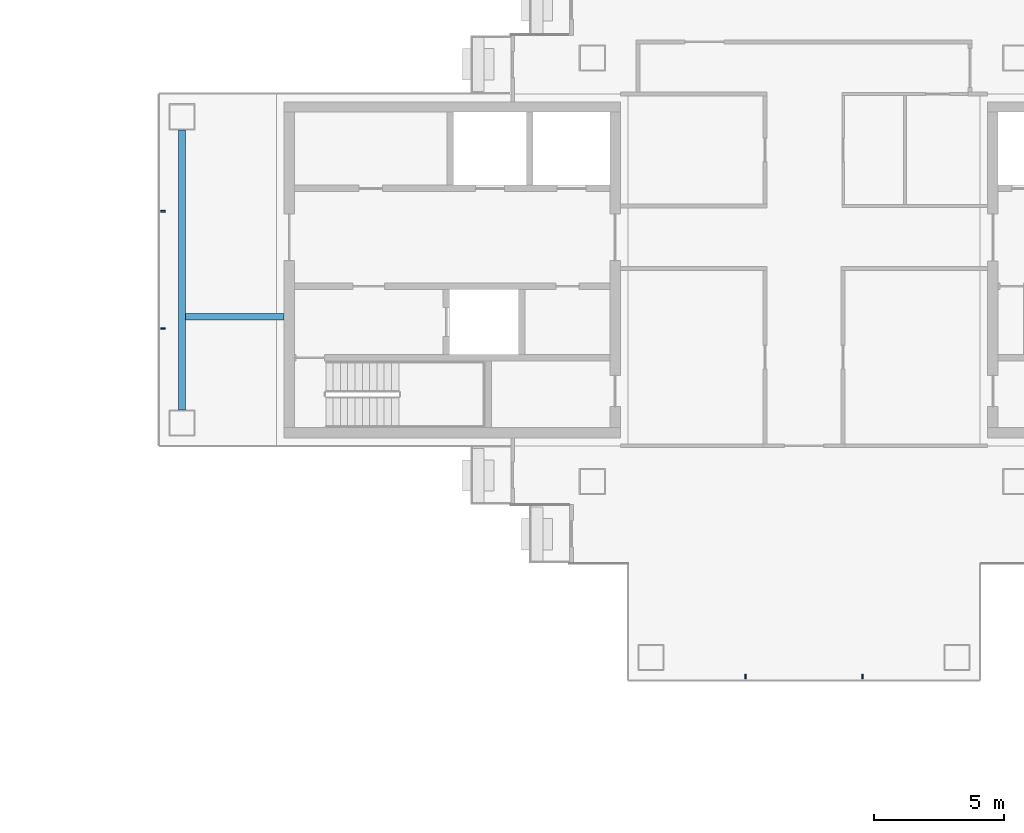
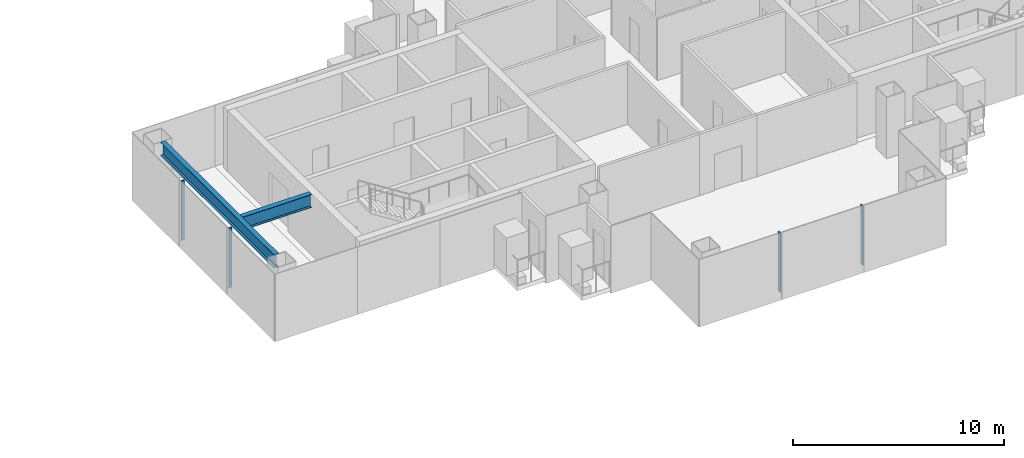
# One storey, part 5 of 16: 4 members, 2 beams, 2 elements without a shape of their own.
"""IFC4 building model written with IfcOpenShell, lengths in metres."""

import ifcopenshell
import ifcopenshell.guid

model = None  # the IFC model being written
_history = None  # IfcOwnerHistory: only IFC2X3 demands one
_inside = {}  # id of a spatial element -> (the spatial element, [elements in it])
_under = {}  # id of a project, library or spatial element -> (it, [spatial elements below it])
_declared = {}  # id of a project -> (the project, [libraries it declares])
_typed = {}  # id of a type object -> (the type object, [elements of that type])
_made_of = {}  # id of a material, layer set ... -> (it, [elements and type objects made of it])


def new_model(schema):
    """Start an empty IFC model of exactly this schema.

    Asked for "IFC4X3", IfcOpenShell would pick the latest addendum, in which some entities
    have other attributes; the version numbers below select the first issue.
    IFC2X3 requires an IfcOwnerHistory on every rooted entity: one is made here for all.
    """
    global model, _history
    if schema == "IFC4X3":
        model = ifcopenshell.file(schema_version=(4, 3, 0, 0))
    else:
        model = ifcopenshell.file(schema=schema)
    _inside.clear()
    _under.clear()
    _declared.clear()
    _typed.clear()
    _made_of.clear()
    _history = None
    if model.schema == "IFC2X3":
        org = make("IfcOrganization", Name="unknown")
        user = make(
            "IfcPersonAndOrganization",
            ThePerson=make("IfcPerson", FamilyName="unknown"),
            TheOrganization=org,
        )
        app = make(
            "IfcApplication",
            ApplicationDeveloper=org,
            Version="unknown",
            ApplicationFullName="unknown",
            ApplicationIdentifier="unknown",
        )
        _history = make(
            "IfcOwnerHistory",
            OwningUser=user,
            OwningApplication=app,
            ChangeAction="ADDED",
            CreationDate=0,
        )
    return model


def make(cls, **values):
    """One entity of the class cls with the attributes given. An attribute that is None is left unset."""
    return model.create_entity(
        cls, **{name: value for name, value in values.items() if value is not None}
    )


def rooted(cls, **values):
    """An entity with a GlobalId (a new one), such as an element, a storey or a relation."""
    return make(cls, GlobalId=ifcopenshell.guid.new(), OwnerHistory=_history, **values)


def si_unit(unit_type, name, prefix=None):
    """IfcSIUnit, for example si_unit("LENGTHUNIT", "METRE", prefix="MILLI")."""
    return make("IfcSIUnit", UnitType=unit_type, Prefix=prefix, Name=name)


def assignment(units):
    """IfcUnitAssignment: the units of a project."""
    return None if units is None else make("IfcUnitAssignment", Units=units)


def point(xyz):
    """IfcCartesianPoint."""
    return None if xyz is None else make("IfcCartesianPoint", Coordinates=xyz)


def direction(xyz):
    """IfcDirection."""
    return None if xyz is None else make("IfcDirection", DirectionRatios=xyz)


def frame(location, z_axis=None, x_axis=None):
    """IfcAxis2Placement3D, a coordinate frame: its origin and axes. An axis left out is left unset."""
    return make(
        "IfcAxis2Placement3D",
        Location=point(location),
        Axis=direction(z_axis),
        RefDirection=direction(x_axis),
    )


def frame_2d(location, x_axis=None):
    """IfcAxis2Placement2D, a coordinate frame in the plane: its origin and x axis."""
    return make(
        "IfcAxis2Placement2D", Location=point(location), RefDirection=direction(x_axis)
    )


def origin():
    """The frame at (0, 0, 0) with its axes left unset."""
    return frame((0.0, 0.0, 0.0))


def origin_2d():
    """The frame at (0, 0) in the plane with its x axis left unset."""
    return frame_2d((0.0, 0.0))


def place(relative_to, where):
    """IfcLocalPlacement: puts the frame where relative to a parent placement (None: the world)."""
    return make(
        "IfcLocalPlacement", PlacementRelTo=relative_to, RelativePlacement=where
    )


def context(
    kind, dimensions, precision=None, world=None, true_north=None, identifier=None
):
    """IfcGeometricRepresentationContext, for example the 3D "Model" context."""
    return make(
        "IfcGeometricRepresentationContext",
        ContextIdentifier=identifier,
        ContextType=kind,
        CoordinateSpaceDimension=dimensions,
        Precision=precision,
        WorldCoordinateSystem=world,
        TrueNorth=true_north,
    )


def subcontext(parent, identifier, kind, view, scale=None):
    """IfcGeometricRepresentationSubContext, for example "Body" below "Model"."""
    return make(
        "IfcGeometricRepresentationSubContext",
        ContextIdentifier=identifier,
        ContextType=kind,
        ParentContext=parent,
        TargetScale=scale,
        TargetView=view,
    )


def project(units=None, contexts=None):
    """IfcProject with its units and contexts."""
    return rooted(
        "IfcProject",
        Name="project",
        RepresentationContexts=contexts,
        UnitsInContext=assignment(units),
    )


def spatial(cls, under=None, at=None, **own):
    """A site, building, storey or space (cls), placed at a placement, below another one or the project."""
    s = rooted(cls, ObjectPlacement=at, **own)
    if under is not None:
        _under.setdefault(under.id(), (under, []))[1].append(s)
    return s


def profile(cls, at=None, kind="AREA", **sizes):
    """A parametric profile (cls). Its sizes go by their IFC names, for example OverallWidth=200.0."""
    return make(cls, ProfileType=kind, Position=at, **sizes)


def rectangle(**sizes):
    """IfcRectangleProfileDef."""
    return profile("IfcRectangleProfileDef", **sizes)


def i_section(**sizes):
    """IfcIShapeProfileDef."""
    return profile("IfcIShapeProfileDef", **sizes)


def extrude(swept, where, along, depth):
    """IfcExtrudedAreaSolid: the profile swept, set in the frame where, extruded along a direction by depth."""
    return make(
        "IfcExtrudedAreaSolid",
        SweptArea=swept,
        Position=where,
        ExtrudedDirection=direction(along),
        Depth=depth,
    )


def shape(context_of_items, identifier, shape_type, items):
    """IfcShapeRepresentation: the items that make up one representation, for example the "Body"."""
    return make(
        "IfcShapeRepresentation",
        ContextOfItems=context_of_items,
        RepresentationIdentifier=identifier,
        RepresentationType=shape_type,
        Items=items,
    )


def material(Name=None, Category=None):
    """IfcMaterial."""
    return make("IfcMaterial", Name=Name, Category=Category)


def layer(
    of_material, thickness, ventilated=None, Name=None, Category=None, Priority=None
):
    """IfcMaterialLayer: one layer of a wall or slab, of a material (None: an air gap)."""
    return make(
        "IfcMaterialLayer",
        Material=of_material,
        LayerThickness=thickness,
        IsVentilated=ventilated,
        Name=Name,
        Category=Category,
        Priority=Priority,
    )


def layer_set(layers, Name=None):
    """IfcMaterialLayerSet."""
    return make("IfcMaterialLayerSet", MaterialLayers=layers, LayerSetName=Name)


def material_profile(
    of_material, cross_section, Name=None, Category=None, Priority=None
):
    """IfcMaterialProfile: a cross section and its material."""
    return make(
        "IfcMaterialProfile",
        Name=Name,
        Material=of_material,
        Profile=cross_section,
        Priority=Priority,
        Category=Category,
    )


def profile_set(profiles, Name=None, composite=None):
    """IfcMaterialProfileSet."""
    return make(
        "IfcMaterialProfileSet",
        Name=Name,
        MaterialProfiles=profiles,
        CompositeProfile=composite,
    )


def made_of(thing, what):
    """Note that an element or type object is made of a material, layer set ...; save() writes the relation."""
    if what is not None:
        _made_of.setdefault(what.id(), (what, []))[1].append(thing)
    return thing


def type_object(cls, material=None, **own):
    """A type object (cls), such as IfcWallType, which elements share."""
    return made_of(rooted(cls, **own), material)


def element(
    cls,
    number,
    at=None,
    inside=None,
    cuts=None,
    type_object=None,
    material=None,
    context=None,
    identifier="Body",
    shape_type=None,
    held_by="IfcProductDefinitionShape",
    body=None,
    shapes=None,
    **own,
):
    """One element of the class cls, such as IfcWall. Its Tag is "e" and its number.

    at: its placement. inside: the storey or other place that contains it. cuts: it is an
    opening in that element (IfcRelVoidsElement). A single representation is given by context,
    identifier, shape_type and body (its items); several are given by shapes. held_by: the class
    of the entity that holds the representations. save() writes the other relations.
    """
    e = rooted(cls, Tag="e%d" % number, ObjectPlacement=at, **own)
    if body is not None:
        shapes = [shape(context, identifier, shape_type, body)]
    if shapes is not None:
        e.Representation = make(held_by, Representations=shapes)
    if inside is not None:
        _inside.setdefault(inside.id(), (inside, []))[1].append(e)
    if cuts is not None:
        rooted(
            "IfcRelVoidsElement", RelatingBuildingElement=cuts, RelatedOpeningElement=e
        )
    if type_object is not None:
        _typed.setdefault(type_object.id(), (type_object, []))[1].append(e)
    return made_of(e, material)


def aggregate(whole, parts):
    """IfcRelAggregates: a whole, such as a stair, and the parts it consists of."""
    return rooted("IfcRelAggregates", RelatingObject=whole, RelatedObjects=parts)


def save(model, path):
    """Write the relations noted so far, then the file.

    IfcRelAggregates (storeys below a building ...), IfcRelContainedInSpatialStructure (elements
    in a storey), IfcRelDefinesByType, IfcRelAssociatesMaterial and IfcRelDeclares: one each for
    every whole, place, type object, material and project.
    """
    for whole, parts in _under.values():
        aggregate(whole, parts)
    for where, things in _inside.values():
        rooted(
            "IfcRelContainedInSpatialStructure",
            RelatedElements=things,
            RelatingStructure=where,
        )
    for kind, things in _typed.values():
        rooted("IfcRelDefinesByType", RelatedObjects=things, RelatingType=kind)
    for what, things in _made_of.values():
        rooted("IfcRelAssociatesMaterial", RelatedObjects=things, RelatingMaterial=what)
    for by, libraries in _declared.values():
        rooted("IfcRelDeclares", RelatingContext=by, RelatedDefinitions=libraries)
    model.write(path)


model = new_model("IFC4")

# Units and contexts
model_context = context("Model", 3, precision=1e-05, world=origin(), true_north=direction((0.0, 1.0)))
body_context = subcontext(model_context, "Body", "Model", "MODEL_VIEW")
ifc_project = project(units=[si_unit("LENGTHUNIT", "METRE"), si_unit("AREAUNIT", "SQUARE_METRE"), si_unit("VOLUMEUNIT", "CUBIC_METRE"), si_unit("PLANEANGLEUNIT", "RADIAN"), si_unit("MASSUNIT", "GRAM", prefix="KILO")], contexts=[model_context])

# Site, building, storey
site_placement = place(None, origin())
site = spatial("IfcSite", under=ifc_project, at=site_placement, CompositionType="ELEMENT")
building_placement = place(site_placement, origin())
building = spatial("IfcBuilding", under=site, at=building_placement, Name="Shamsa Quay Exchange Towers", CompositionType="ELEMENT")
storey_placement = place(building_placement, frame((0.0, 0.0, 210.0)))
storey = spatial("IfcBuildingStorey", under=building, at=storey_placement, Name="L50", CompositionType="ELEMENT", Elevation=210.0)

# Curtain wall, members
ifc_material_1 = material(Name="Aluminium EN AW-6063 T6, black anodised", Category="aluminium")
ifc_layer = layer(ifc_material_1, 0.280029296875)
ifc_layer_set = layer_set([ifc_layer], Name="CW-1 UNITISED VISION GLASS")
curtain_wall_type = type_object("IfcCurtainWallType", Name="CW-1 UNITISED VISION GLASS", PredefinedType="NOTDEFINED", material=ifc_layer_set)
curtain_wall_1_placement = place(storey_placement, origin())
curtain_wall_1 = element("IfcCurtainWall", 1, at=curtain_wall_1_placement, inside=storey, type_object=curtain_wall_type, Name="CW1 T2-END-V+ L50", PredefinedType="NOTDEFINED")
ifc_material_profile_1 = material_profile(ifc_material_1, rectangle(XDim=0.179931640625, YDim=0.06005859375, at=origin_2d()), Name="MU60x180")
ifc_profile_set_1 = profile_set([ifc_material_profile_1], Name="Aluminium EN AW-6063 T6, black anodised")
member_type = type_object("IfcMemberType", Name="CW1 MULLION 60x180", PredefinedType="MULLION", material=ifc_profile_set_1)
member_1_placement = place(storey_placement, frame((9.14990234375, 2.25, 0.0)))
member_1 = element("IfcMember", 2, at=member_1_placement, type_object=member_type, Name="CW1 mullion", PredefinedType="MULLION", context=body_context, shape_type="SweptSolid", body=[
    extrude(rectangle(XDim=0.179931640625, YDim=0.06005859375, at=origin_2d()), origin(), (0.0, 0.0, 1.0), 3.449951171875),
])
member_2_placement = place(storey_placement, frame((9.14990234375, -2.25, 0.0)))
member_2 = element("IfcMember", 3, at=member_2_placement, type_object=member_type, Name="CW1 mullion", PredefinedType="MULLION", context=body_context, shape_type="SweptSolid", body=[
    extrude(rectangle(XDim=0.179931640625, YDim=0.06005859375, at=origin_2d()), origin(), (0.0, 0.0, 1.0), 3.449951171875),
])
aggregate(curtain_wall_1, [member_1, member_2])

curtain_wall_2_placement = place(storey_placement, origin())
curtain_wall_2 = element("IfcCurtainWall", 4, at=curtain_wall_2_placement, inside=storey, type_object=curtain_wall_type, Name="CW1 T2-END-U- L50", PredefinedType="NOTDEFINED")
member_3_placement = place(storey_placement, frame((31.5, -15.60009765625, 0.0), z_axis=(0.0, 0.0, 1.0), x_axis=(0.0, 1.0, 0.0)))
member_3 = element("IfcMember", 5, at=member_3_placement, type_object=member_type, Name="CW1 mullion", PredefinedType="MULLION", context=body_context, shape_type="SweptSolid", body=[
    extrude(rectangle(XDim=0.179931640625, YDim=0.06005859375, at=origin_2d()), origin(), (0.0, 0.0, 1.0), 3.449951171875),
])
member_4_placement = place(storey_placement, frame((36.0, -15.60009765625, 0.0), z_axis=(0.0, 0.0, 1.0), x_axis=(0.0, 1.0, 0.0)))
member_4 = element("IfcMember", 6, at=member_4_placement, type_object=member_type, Name="CW1 mullion", PredefinedType="MULLION", context=body_context, shape_type="SweptSolid", body=[
    extrude(rectangle(XDim=0.179931640625, YDim=0.06005859375, at=origin_2d()), origin(), (0.0, 0.0, 1.0), 3.449951171875),
])
aggregate(curtain_wall_2, [member_3, member_4])

# Beams
ifc_material_2 = material(Name="Steel S355", Category="steel")
ifc_material_profile_2 = material_profile(ifc_material_2, i_section(OverallWidth=0.26611328125, OverallDepth=0.7578125, WebThickness=0.013916015625, FlangeThickness=0.019287109375, at=origin_2d()), Name="W30x108")
ifc_profile_set_2 = profile_set([ifc_material_profile_2], Name="Steel S355")
beam_type = type_object("IfcBeamType", Name="End-zone beam W30x108", PredefinedType="BEAM", material=ifc_profile_set_2)
beam_1_placement = place(storey_placement, frame((9.875, -5.375, 3.171142578125), z_axis=(0.0, 1.0, 0.0), x_axis=(-1.0, 0.0, 0.0)))
element("IfcBeam", 7, at=beam_1_placement, inside=storey, type_object=beam_type, Name="End beam T2 V+ end zone L50", PredefinedType="BEAM", context=body_context, shape_type="SweptSolid", body=[
    extrude(i_section(OverallWidth=0.26611328125, OverallDepth=0.7578125, WebThickness=0.013916015625, FlangeThickness=0.019287109375, at=origin_2d()), origin(), (0.0, 0.0, 1.0), 10.75),
])
beam_2_placement = place(storey_placement, frame((13.800048828125, -1.800048828125, 3.171142578125), z_axis=(-1.0, 0.0, 0.0), x_axis=(0.0, -1.0, 0.0)))
element("IfcBeam", 8, at=beam_2_placement, inside=storey, type_object=beam_type, Name="Spine beam T2 V+ end zone L50", PredefinedType="BEAM", context=body_context, shape_type="SweptSolid", body=[
    extrude(i_section(OverallWidth=0.26611328125, OverallDepth=0.7578125, WebThickness=0.013916015625, FlangeThickness=0.019287109375, at=origin_2d()), origin(), (0.0, 0.0, 1.0), 3.7919921875),
])

save(model, "model.ifc")
